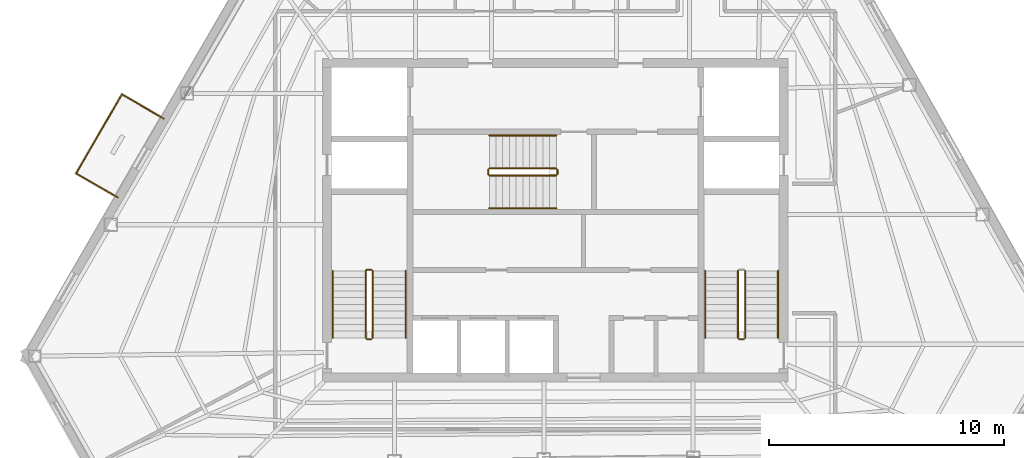
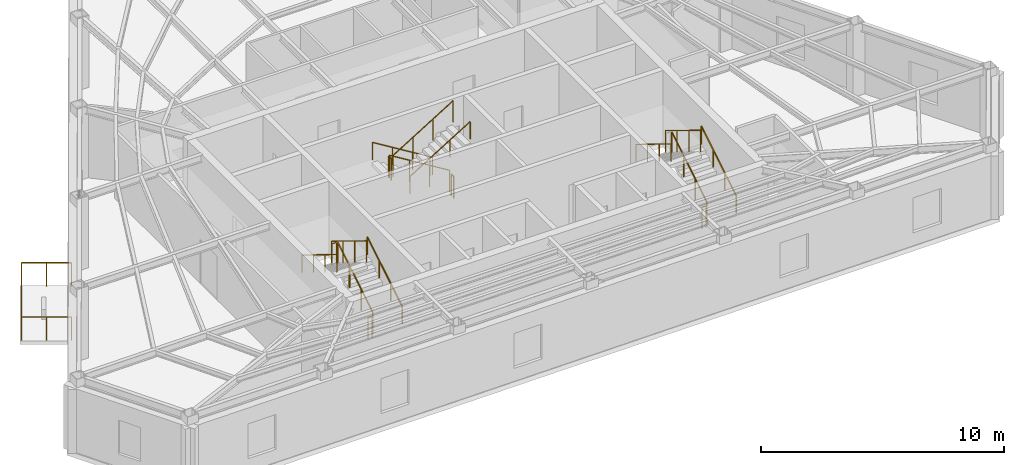
# One storey, part 9 of 10: 20 railings.
"""IFC4 building model written with IfcOpenShell, lengths in metres."""

import ifcopenshell
import ifcopenshell.guid

model = None  # the IFC model being written
_history = None  # IfcOwnerHistory: only IFC2X3 demands one
_inside = {}  # id of a spatial element -> (the spatial element, [elements in it])
_under = {}  # id of a project, library or spatial element -> (it, [spatial elements below it])
_declared = {}  # id of a project -> (the project, [libraries it declares])
_typed = {}  # id of a type object -> (the type object, [elements of that type])
_made_of = {}  # id of a material, layer set ... -> (it, [elements and type objects made of it])


def new_model(schema):
    """Start an empty IFC model of exactly this schema.

    Asked for "IFC4X3", IfcOpenShell would pick the latest addendum, in which some entities
    have other attributes; the version numbers below select the first issue.
    IFC2X3 requires an IfcOwnerHistory on every rooted entity: one is made here for all.
    """
    global model, _history
    if schema == "IFC4X3":
        model = ifcopenshell.file(schema_version=(4, 3, 0, 0))
    else:
        model = ifcopenshell.file(schema=schema)
    _inside.clear()
    _under.clear()
    _declared.clear()
    _typed.clear()
    _made_of.clear()
    _history = None
    if model.schema == "IFC2X3":
        org = make("IfcOrganization", Name="unknown")
        user = make(
            "IfcPersonAndOrganization",
            ThePerson=make("IfcPerson", FamilyName="unknown"),
            TheOrganization=org,
        )
        app = make(
            "IfcApplication",
            ApplicationDeveloper=org,
            Version="unknown",
            ApplicationFullName="unknown",
            ApplicationIdentifier="unknown",
        )
        _history = make(
            "IfcOwnerHistory",
            OwningUser=user,
            OwningApplication=app,
            ChangeAction="ADDED",
            CreationDate=0,
        )
    return model


def make(cls, **values):
    """One entity of the class cls with the attributes given. An attribute that is None is left unset."""
    return model.create_entity(
        cls, **{name: value for name, value in values.items() if value is not None}
    )


def rooted(cls, **values):
    """An entity with a GlobalId (a new one), such as an element, a storey or a relation."""
    return make(cls, GlobalId=ifcopenshell.guid.new(), OwnerHistory=_history, **values)


def si_unit(unit_type, name, prefix=None):
    """IfcSIUnit, for example si_unit("LENGTHUNIT", "METRE", prefix="MILLI")."""
    return make("IfcSIUnit", UnitType=unit_type, Prefix=prefix, Name=name)


def assignment(units):
    """IfcUnitAssignment: the units of a project."""
    return None if units is None else make("IfcUnitAssignment", Units=units)


def point(xyz):
    """IfcCartesianPoint."""
    return None if xyz is None else make("IfcCartesianPoint", Coordinates=xyz)


def direction(xyz):
    """IfcDirection."""
    return None if xyz is None else make("IfcDirection", DirectionRatios=xyz)


def frame(location, z_axis=None, x_axis=None):
    """IfcAxis2Placement3D, a coordinate frame: its origin and axes. An axis left out is left unset."""
    return make(
        "IfcAxis2Placement3D",
        Location=point(location),
        Axis=direction(z_axis),
        RefDirection=direction(x_axis),
    )


def frame_2d(location, x_axis=None):
    """IfcAxis2Placement2D, a coordinate frame in the plane: its origin and x axis."""
    return make(
        "IfcAxis2Placement2D", Location=point(location), RefDirection=direction(x_axis)
    )


def origin():
    """The frame at (0, 0, 0) with its axes left unset."""
    return frame((0.0, 0.0, 0.0))


def origin_2d():
    """The frame at (0, 0) in the plane with its x axis left unset."""
    return frame_2d((0.0, 0.0))


def place(relative_to, where):
    """IfcLocalPlacement: puts the frame where relative to a parent placement (None: the world)."""
    return make(
        "IfcLocalPlacement", PlacementRelTo=relative_to, RelativePlacement=where
    )


def context(
    kind, dimensions, precision=None, world=None, true_north=None, identifier=None
):
    """IfcGeometricRepresentationContext, for example the 3D "Model" context."""
    return make(
        "IfcGeometricRepresentationContext",
        ContextIdentifier=identifier,
        ContextType=kind,
        CoordinateSpaceDimension=dimensions,
        Precision=precision,
        WorldCoordinateSystem=world,
        TrueNorth=true_north,
    )


def subcontext(parent, identifier, kind, view, scale=None):
    """IfcGeometricRepresentationSubContext, for example "Body" below "Model"."""
    return make(
        "IfcGeometricRepresentationSubContext",
        ContextIdentifier=identifier,
        ContextType=kind,
        ParentContext=parent,
        TargetScale=scale,
        TargetView=view,
    )


def project(units=None, contexts=None):
    """IfcProject with its units and contexts."""
    return rooted(
        "IfcProject",
        Name="project",
        RepresentationContexts=contexts,
        UnitsInContext=assignment(units),
    )


def spatial(cls, under=None, at=None, **own):
    """A site, building, storey or space (cls), placed at a placement, below another one or the project."""
    s = rooted(cls, ObjectPlacement=at, **own)
    if under is not None:
        _under.setdefault(under.id(), (under, []))[1].append(s)
    return s


def profile(cls, at=None, kind="AREA", **sizes):
    """A parametric profile (cls). Its sizes go by their IFC names, for example OverallWidth=200.0."""
    return make(cls, ProfileType=kind, Position=at, **sizes)


def circle(**sizes):
    """IfcCircleProfileDef."""
    return profile("IfcCircleProfileDef", **sizes)


def extrude(swept, where, along, depth):
    """IfcExtrudedAreaSolid: the profile swept, set in the frame where, extruded along a direction by depth."""
    return make(
        "IfcExtrudedAreaSolid",
        SweptArea=swept,
        Position=where,
        ExtrudedDirection=direction(along),
        Depth=depth,
    )


def shape(context_of_items, identifier, shape_type, items):
    """IfcShapeRepresentation: the items that make up one representation, for example the "Body"."""
    return make(
        "IfcShapeRepresentation",
        ContextOfItems=context_of_items,
        RepresentationIdentifier=identifier,
        RepresentationType=shape_type,
        Items=items,
    )


def material(Name=None, Category=None):
    """IfcMaterial."""
    return make("IfcMaterial", Name=Name, Category=Category)


def made_of(thing, what):
    """Note that an element or type object is made of a material, layer set ...; save() writes the relation."""
    if what is not None:
        _made_of.setdefault(what.id(), (what, []))[1].append(thing)
    return thing


def type_object(cls, material=None, **own):
    """A type object (cls), such as IfcWallType, which elements share."""
    return made_of(rooted(cls, **own), material)


def element(
    cls,
    number,
    at=None,
    inside=None,
    cuts=None,
    type_object=None,
    material=None,
    context=None,
    identifier="Body",
    shape_type=None,
    held_by="IfcProductDefinitionShape",
    body=None,
    shapes=None,
    **own,
):
    """One element of the class cls, such as IfcWall. Its Tag is "e" and its number.

    at: its placement. inside: the storey or other place that contains it. cuts: it is an
    opening in that element (IfcRelVoidsElement). A single representation is given by context,
    identifier, shape_type and body (its items); several are given by shapes. held_by: the class
    of the entity that holds the representations. save() writes the other relations.
    """
    e = rooted(cls, Tag="e%d" % number, ObjectPlacement=at, **own)
    if body is not None:
        shapes = [shape(context, identifier, shape_type, body)]
    if shapes is not None:
        e.Representation = make(held_by, Representations=shapes)
    if inside is not None:
        _inside.setdefault(inside.id(), (inside, []))[1].append(e)
    if cuts is not None:
        rooted(
            "IfcRelVoidsElement", RelatingBuildingElement=cuts, RelatedOpeningElement=e
        )
    if type_object is not None:
        _typed.setdefault(type_object.id(), (type_object, []))[1].append(e)
    return made_of(e, material)


def aggregate(whole, parts):
    """IfcRelAggregates: a whole, such as a stair, and the parts it consists of."""
    return rooted("IfcRelAggregates", RelatingObject=whole, RelatedObjects=parts)


def save(model, path):
    """Write the relations noted so far, then the file.

    IfcRelAggregates (storeys below a building ...), IfcRelContainedInSpatialStructure (elements
    in a storey), IfcRelDefinesByType, IfcRelAssociatesMaterial and IfcRelDeclares: one each for
    every whole, place, type object, material and project.
    """
    for whole, parts in _under.values():
        aggregate(whole, parts)
    for where, things in _inside.values():
        rooted(
            "IfcRelContainedInSpatialStructure",
            RelatedElements=things,
            RelatingStructure=where,
        )
    for kind, things in _typed.values():
        rooted("IfcRelDefinesByType", RelatedObjects=things, RelatingType=kind)
    for what, things in _made_of.values():
        rooted("IfcRelAssociatesMaterial", RelatedObjects=things, RelatingMaterial=what)
    for by, libraries in _declared.values():
        rooted("IfcRelDeclares", RelatingContext=by, RelatedDefinitions=libraries)
    model.write(path)


model = new_model("IFC4")

# Units and contexts
model_context = context("Model", 3, precision=1e-05, world=origin(), true_north=direction((0.0, 1.0)))
body_context = subcontext(model_context, "Body", "Model", "MODEL_VIEW")
ifc_project = project(units=[si_unit("LENGTHUNIT", "METRE"), si_unit("AREAUNIT", "SQUARE_METRE"), si_unit("VOLUMEUNIT", "CUBIC_METRE"), si_unit("PLANEANGLEUNIT", "RADIAN"), si_unit("MASSUNIT", "GRAM", prefix="KILO")], contexts=[model_context])

# Site, building, storey
site_placement = place(None, origin())
site = spatial("IfcSite", under=ifc_project, at=site_placement, CompositionType="ELEMENT")
building_placement = place(site_placement, origin())
building = spatial("IfcBuilding", under=site, at=building_placement, Name="Kavelnor Concourse Tower", CompositionType="ELEMENT")
storey_placement = place(building_placement, frame((0.0, 0.0, 293.39990234375)))
storey = spatial("IfcBuildingStorey", under=building, at=storey_placement, Name="L74", CompositionType="ELEMENT", Elevation=293.39990234375)

# Railings
ifc_material_1 = material(Name="Steel Grade 350", Category="steel")
railing_type_1 = type_object("IfcRailingType", Name="RLG-GUARD-1100", PredefinedType="GUARDRAIL", material=ifc_material_1)
railing_1_placement = place(storey_placement, frame((30.22998046875, 11.10009765625, 0.175048828125)))
element("IfcRailing", 1, at=railing_1_placement, inside=storey, type_object=railing_type_1, Name="L74 ST1 stair guard 1", PredefinedType="GUARDRAIL", context=body_context, shape_type="SweptSolid", body=[
    extrude(circle(Radius=0.02392578125, at=origin_2d()), frame((0.0, 0.0, 1.076171875), z_axis=(0.0, 0.852159232446, 0.523282564737), x_axis=(-1.0, 0.0, 0.0)), (0.0, 0.0, 1.0), 3.34423828125),
    extrude(circle(Radius=0.02099609375, at=origin_2d()), origin(), (0.0, 0.0, 1.0), 1.052001953125),
    extrude(circle(Radius=0.02099609375, at=origin_2d()), frame((0.0, 0.949951171875, 0.583251953125)), (0.0, 0.0, 1.0), 1.052001953125),
    extrude(circle(Radius=0.02099609375, at=origin_2d()), frame((0.0, 1.89990234375, 1.166748046875)), (0.0, 0.0, 1.0), 1.052001953125),
    extrude(circle(Radius=0.02099609375, at=origin_2d()), frame((0.0, 2.849853515625, 1.75)), (0.0, 0.0, 1.0), 1.052001953125),
])
railing_2_placement = place(storey_placement, frame((30.179931640625, 14.0, 1.925048828125)))
element("IfcRailing", 2, at=railing_2_placement, inside=storey, type_object=railing_type_1, Name="L74 ST1 stair guard 2", PredefinedType="GUARDRAIL", context=body_context, shape_type="SweptSolid", body=[
    extrude(circle(Radius=0.02392578125, at=origin_2d()), frame((0.0, 0.0, 1.076171875), z_axis=(-1.0, 0.0, 0.0), x_axis=(0.0, -1.0, 0.0)), (0.0, 0.0, 1.0), 0.199951171875),
    extrude(circle(Radius=0.02099609375, at=origin_2d()), origin(), (0.0, 0.0, 1.0), 1.052001953125),
    extrude(circle(Radius=0.02099609375, at=origin_2d()), frame((-0.199951171875, 0.0, 0.0)), (0.0, 0.0, 1.0), 1.052001953125),
])
railing_3_placement = place(storey_placement, frame((29.929931640625, 13.949951171875, 2.10009765625)))
element("IfcRailing", 3, at=railing_3_placement, inside=storey, type_object=railing_type_1, Name="L74 ST1 stair guard 3", PredefinedType="GUARDRAIL", context=body_context, shape_type="SweptSolid", body=[
    extrude(circle(Radius=0.02392578125, at=origin_2d()), frame((0.0, 0.0, 1.076171875), z_axis=(0.0, -0.852159232446, 0.523282564737), x_axis=(1.0, 0.0, 0.0)), (0.0, 0.0, 1.0), 3.34423828125),
    extrude(circle(Radius=0.02099609375, at=origin_2d()), origin(), (0.0, 0.0, 1.0), 1.052001953125),
    extrude(circle(Radius=0.02099609375, at=origin_2d()), frame((0.0, -0.949951171875, 0.583251953125)), (0.0, 0.0, 1.0), 1.052001953125),
    extrude(circle(Radius=0.02099609375, at=origin_2d()), frame((0.0, -1.89990234375, 1.166748046875)), (0.0, 0.0, 1.0), 1.052001953125),
    extrude(circle(Radius=0.02099609375, at=origin_2d()), frame((0.0, -2.849853515625, 1.75)), (0.0, 0.0, 1.0), 1.052001953125),
])
railing_4_placement = place(storey_placement, frame((30.179931640625, 11.050048828125, 0.0)))
element("IfcRailing", 4, at=railing_4_placement, inside=storey, type_object=railing_type_1, Name="L74 ST1 stair guard 4", PredefinedType="GUARDRAIL", context=body_context, shape_type="SweptSolid", body=[
    extrude(circle(Radius=0.02392578125, at=origin_2d()), frame((0.0, 0.0, 1.076171875), z_axis=(-1.0, 0.0, 0.0), x_axis=(0.0, -1.0, 0.0)), (0.0, 0.0, 1.0), 0.199951171875),
    extrude(circle(Radius=0.02099609375, at=origin_2d()), origin(), (0.0, 0.0, 1.0), 1.052001953125),
    extrude(circle(Radius=0.02099609375, at=origin_2d()), frame((-0.199951171875, 0.0, 0.0)), (0.0, 0.0, 1.0), 1.052001953125),
])
railing_5_placement = place(storey_placement, frame((46.070068359375, 11.10009765625, 0.175048828125)))
element("IfcRailing", 5, at=railing_5_placement, inside=storey, type_object=railing_type_1, Name="L74 ST2 stair guard 1", PredefinedType="GUARDRAIL", context=body_context, shape_type="SweptSolid", body=[
    extrude(circle(Radius=0.02392578125, at=origin_2d()), frame((0.0, 0.0, 1.076171875), z_axis=(0.0, 0.852159232446, 0.523282564737), x_axis=(-1.0, 0.0, 0.0)), (0.0, 0.0, 1.0), 3.34423828125),
    extrude(circle(Radius=0.02099609375, at=origin_2d()), origin(), (0.0, 0.0, 1.0), 1.052001953125),
    extrude(circle(Radius=0.02099609375, at=origin_2d()), frame((0.0, 0.949951171875, 0.583251953125)), (0.0, 0.0, 1.0), 1.052001953125),
    extrude(circle(Radius=0.02099609375, at=origin_2d()), frame((0.0, 1.89990234375, 1.166748046875)), (0.0, 0.0, 1.0), 1.052001953125),
    extrude(circle(Radius=0.02099609375, at=origin_2d()), frame((0.0, 2.849853515625, 1.75)), (0.0, 0.0, 1.0), 1.052001953125),
])
railing_6_placement = place(storey_placement, frame((45.77001953125, 13.949951171875, 2.10009765625)))
element("IfcRailing", 6, at=railing_6_placement, inside=storey, type_object=railing_type_1, Name="L74 ST2 stair guard 3", PredefinedType="GUARDRAIL", context=body_context, shape_type="SweptSolid", body=[
    extrude(circle(Radius=0.02392578125, at=origin_2d()), frame((0.0, 0.0, 1.076171875), z_axis=(0.0, -0.852159232446, 0.523282564737), x_axis=(1.0, 0.0, 0.0)), (0.0, 0.0, 1.0), 3.34423828125),
    extrude(circle(Radius=0.02099609375, at=origin_2d()), origin(), (0.0, 0.0, 1.0), 1.052001953125),
    extrude(circle(Radius=0.02099609375, at=origin_2d()), frame((0.0, -0.949951171875, 0.583251953125)), (0.0, 0.0, 1.0), 1.052001953125),
    extrude(circle(Radius=0.02099609375, at=origin_2d()), frame((0.0, -1.89990234375, 1.166748046875)), (0.0, 0.0, 1.0), 1.052001953125),
    extrude(circle(Radius=0.02099609375, at=origin_2d()), frame((0.0, -2.849853515625, 1.75)), (0.0, 0.0, 1.0), 1.052001953125),
])
railing_7_placement = place(storey_placement, frame((46.02001953125, 11.050048828125, 0.0)))
element("IfcRailing", 7, at=railing_7_placement, inside=storey, type_object=railing_type_1, Name="L74 ST2 stair guard 4", PredefinedType="GUARDRAIL", context=body_context, shape_type="SweptSolid", body=[
    extrude(circle(Radius=0.02392578125, at=origin_2d()), frame((0.0, 0.0, 1.076171875), z_axis=(-1.0, 0.0, 0.0), x_axis=(0.0, -1.0, 0.0)), (0.0, 0.0, 1.0), 0.199951171875),
    extrude(circle(Radius=0.02099609375, at=origin_2d()), origin(), (0.0, 0.0, 1.0), 1.052001953125),
    extrude(circle(Radius=0.02099609375, at=origin_2d()), frame((-0.199951171875, 0.0, 0.0)), (0.0, 0.0, 1.0), 1.052001953125),
])
railing_8_placement = place(storey_placement, frame((38.0400390625, 18.31005859375, 0.175048828125)))
element("IfcRailing", 8, at=railing_8_placement, inside=storey, type_object=railing_type_1, Name="L74 ST3 stair guard 1", PredefinedType="GUARDRAIL", context=body_context, shape_type="SweptSolid", body=[
    extrude(circle(Radius=0.02392578125, at=origin_2d()), frame((0.0, 0.0, 1.076171875), z_axis=(-0.852179220489, 0.0, 0.52325001306), x_axis=(0.0, -1.0, 0.0)), (0.0, 0.0, 1.0), 3.344482421875),
    extrude(circle(Radius=0.02099609375, at=origin_2d()), origin(), (0.0, 0.0, 1.0), 1.052001953125),
    extrude(circle(Radius=0.02099609375, at=origin_2d()), frame((-0.949951171875, 0.0, 0.583251953125)), (0.0, 0.0, 1.0), 1.052001953125),
    extrude(circle(Radius=0.02099609375, at=origin_2d()), frame((-1.900146484375, 0.0, 1.166748046875)), (0.0, 0.0, 1.0), 1.052001953125),
    extrude(circle(Radius=0.02099609375, at=origin_2d()), frame((-2.85009765625, 0.0, 1.75)), (0.0, 0.0, 1.0), 1.052001953125),
])
railing_9_placement = place(storey_placement, frame((35.139892578125, 18.260009765625, 1.925048828125)))
element("IfcRailing", 9, at=railing_9_placement, inside=storey, type_object=railing_type_1, Name="L74 ST3 stair guard 2", PredefinedType="GUARDRAIL", context=body_context, shape_type="SweptSolid", body=[
    extrude(circle(Radius=0.02392578125, at=origin_2d()), frame((0.0, 0.0, 1.076171875), z_axis=(0.0, -1.0, 0.0), x_axis=(1.0, 0.0, 0.0)), (0.0, 0.0, 1.0), 0.199951171875),
    extrude(circle(Radius=0.02099609375, at=origin_2d()), origin(), (0.0, 0.0, 1.0), 1.052001953125),
    extrude(circle(Radius=0.02099609375, at=origin_2d()), frame((0.0, -0.199951171875, 0.0)), (0.0, 0.0, 1.0), 1.052001953125),
])
railing_10_placement = place(storey_placement, frame((35.18994140625, 18.010009765625, 2.10009765625)))
element("IfcRailing", 10, at=railing_10_placement, inside=storey, type_object=railing_type_1, Name="L74 ST3 stair guard 3", PredefinedType="GUARDRAIL", context=body_context, shape_type="SweptSolid", body=[
    extrude(circle(Radius=0.02392578125, at=origin_2d()), frame((0.0, 0.0, 1.076171875), z_axis=(0.852179220489, 0.0, 0.52325001306), x_axis=(0.0, 1.0, 0.0)), (0.0, 0.0, 1.0), 3.344482421875),
    extrude(circle(Radius=0.02099609375, at=origin_2d()), origin(), (0.0, 0.0, 1.0), 1.052001953125),
    extrude(circle(Radius=0.02099609375, at=origin_2d()), frame((0.949951171875, 0.0, 0.583251953125)), (0.0, 0.0, 1.0), 1.052001953125),
    extrude(circle(Radius=0.02099609375, at=origin_2d()), frame((1.900146484375, 0.0, 1.166748046875)), (0.0, 0.0, 1.0), 1.052001953125),
    extrude(circle(Radius=0.02099609375, at=origin_2d()), frame((2.85009765625, 0.0, 1.75)), (0.0, 0.0, 1.0), 1.052001953125),
])
railing_11_placement = place(storey_placement, frame((38.090087890625, 18.260009765625, 0.0)))
element("IfcRailing", 11, at=railing_11_placement, inside=storey, type_object=railing_type_1, Name="L74 ST3 stair guard 4", PredefinedType="GUARDRAIL", context=body_context, shape_type="SweptSolid", body=[
    extrude(circle(Radius=0.02392578125, at=origin_2d()), frame((0.0, 0.0, 1.076171875), z_axis=(0.0, -1.0, 0.0), x_axis=(1.0, 0.0, 0.0)), (0.0, 0.0, 1.0), 0.199951171875),
    extrude(circle(Radius=0.02099609375, at=origin_2d()), origin(), (0.0, 0.0, 1.0), 1.052001953125),
    extrude(circle(Radius=0.02099609375, at=origin_2d()), frame((0.0, -0.199951171875, 0.0)), (0.0, 0.0, 1.0), 1.052001953125),
])
railing_type_2 = type_object("IfcRailingType", Name="RLG-HANDRAIL-900", PredefinedType="HANDRAIL", material=ifc_material_1)
railing_12_placement = place(storey_placement, frame((31.6298828125, 11.10009765625, 0.175048828125)))
element("IfcRailing", 12, at=railing_12_placement, inside=storey, type_object=railing_type_2, Name="L74 ST1 stair handrail 1", PredefinedType="HANDRAIL", context=body_context, shape_type="SweptSolid", body=[
    extrude(circle(Radius=0.02392578125, at=origin_2d()), frame((0.0, 0.0, 0.8759765625), z_axis=(0.0, 0.852159232446, 0.523282564737), x_axis=(-1.0, 0.0, 0.0)), (0.0, 0.0, 1.0), 3.34423828125),
    extrude(circle(Radius=0.02099609375, at=origin_2d()), origin(), (0.0, 0.0, 1.0), 0.851806640625),
    extrude(circle(Radius=0.02099609375, at=origin_2d()), frame((0.0, 0.949951171875, 0.583251953125)), (0.0, 0.0, 1.0), 0.851806640625),
    extrude(circle(Radius=0.02099609375, at=origin_2d()), frame((0.0, 1.89990234375, 1.166748046875)), (0.0, 0.0, 1.0), 0.851806640625),
    extrude(circle(Radius=0.02099609375, at=origin_2d()), frame((0.0, 2.849853515625, 1.75)), (0.0, 0.0, 1.0), 0.851806640625),
])
railing_13_placement = place(storey_placement, frame((28.530029296875, 13.949951171875, 2.10009765625)))
element("IfcRailing", 13, at=railing_13_placement, inside=storey, type_object=railing_type_2, Name="L74 ST1 stair handrail 2", PredefinedType="HANDRAIL", context=body_context, shape_type="SweptSolid", body=[
    extrude(circle(Radius=0.02392578125, at=origin_2d()), frame((0.0, 0.0, 0.8759765625), z_axis=(0.0, -0.852159232446, 0.523282564737), x_axis=(1.0, 0.0, 0.0)), (0.0, 0.0, 1.0), 3.34423828125),
    extrude(circle(Radius=0.02099609375, at=origin_2d()), origin(), (0.0, 0.0, 1.0), 0.851806640625),
    extrude(circle(Radius=0.02099609375, at=origin_2d()), frame((0.0, -0.949951171875, 0.583251953125)), (0.0, 0.0, 1.0), 0.851806640625),
    extrude(circle(Radius=0.02099609375, at=origin_2d()), frame((0.0, -1.89990234375, 1.166748046875)), (0.0, 0.0, 1.0), 0.851806640625),
    extrude(circle(Radius=0.02099609375, at=origin_2d()), frame((0.0, -2.849853515625, 1.75)), (0.0, 0.0, 1.0), 0.851806640625),
])
railing_14_placement = place(storey_placement, frame((47.469970703125, 11.10009765625, 0.175048828125)))
element("IfcRailing", 14, at=railing_14_placement, inside=storey, type_object=railing_type_2, Name="L74 ST2 stair handrail 1", PredefinedType="HANDRAIL", context=body_context, shape_type="SweptSolid", body=[
    extrude(circle(Radius=0.02392578125, at=origin_2d()), frame((0.0, 0.0, 0.8759765625), z_axis=(0.0, 0.852159232446, 0.523282564737), x_axis=(-1.0, 0.0, 0.0)), (0.0, 0.0, 1.0), 3.34423828125),
    extrude(circle(Radius=0.02099609375, at=origin_2d()), origin(), (0.0, 0.0, 1.0), 0.851806640625),
    extrude(circle(Radius=0.02099609375, at=origin_2d()), frame((0.0, 0.949951171875, 0.583251953125)), (0.0, 0.0, 1.0), 0.851806640625),
    extrude(circle(Radius=0.02099609375, at=origin_2d()), frame((0.0, 1.89990234375, 1.166748046875)), (0.0, 0.0, 1.0), 0.851806640625),
    extrude(circle(Radius=0.02099609375, at=origin_2d()), frame((0.0, 2.849853515625, 1.75)), (0.0, 0.0, 1.0), 0.851806640625),
])
railing_15_placement = place(storey_placement, frame((44.3701171875, 13.949951171875, 2.10009765625)))
element("IfcRailing", 15, at=railing_15_placement, inside=storey, type_object=railing_type_2, Name="L74 ST2 stair handrail 2", PredefinedType="HANDRAIL", context=body_context, shape_type="SweptSolid", body=[
    extrude(circle(Radius=0.02392578125, at=origin_2d()), frame((0.0, 0.0, 0.8759765625), z_axis=(0.0, -0.852159232446, 0.523282564737), x_axis=(1.0, 0.0, 0.0)), (0.0, 0.0, 1.0), 3.34423828125),
    extrude(circle(Radius=0.02099609375, at=origin_2d()), origin(), (0.0, 0.0, 1.0), 0.851806640625),
    extrude(circle(Radius=0.02099609375, at=origin_2d()), frame((0.0, -0.949951171875, 0.583251953125)), (0.0, 0.0, 1.0), 0.851806640625),
    extrude(circle(Radius=0.02099609375, at=origin_2d()), frame((0.0, -1.89990234375, 1.166748046875)), (0.0, 0.0, 1.0), 0.851806640625),
    extrude(circle(Radius=0.02099609375, at=origin_2d()), frame((0.0, -2.849853515625, 1.75)), (0.0, 0.0, 1.0), 0.851806640625),
])
railing_16_placement = place(storey_placement, frame((38.0400390625, 19.7099609375, 0.175048828125)))
element("IfcRailing", 16, at=railing_16_placement, inside=storey, type_object=railing_type_2, Name="L74 ST3 stair handrail 1", PredefinedType="HANDRAIL", context=body_context, shape_type="SweptSolid", body=[
    extrude(circle(Radius=0.02392578125, at=origin_2d()), frame((0.0, 0.0, 0.8759765625), z_axis=(-0.852179220489, 0.0, 0.52325001306), x_axis=(0.0, -1.0, 0.0)), (0.0, 0.0, 1.0), 3.344482421875),
    extrude(circle(Radius=0.02099609375, at=origin_2d()), origin(), (0.0, 0.0, 1.0), 0.851806640625),
    extrude(circle(Radius=0.02099609375, at=origin_2d()), frame((-0.949951171875, 0.0, 0.583251953125)), (0.0, 0.0, 1.0), 0.851806640625),
    extrude(circle(Radius=0.02099609375, at=origin_2d()), frame((-1.900146484375, 0.0, 1.166748046875)), (0.0, 0.0, 1.0), 0.851806640625),
    extrude(circle(Radius=0.02099609375, at=origin_2d()), frame((-2.85009765625, 0.0, 1.75)), (0.0, 0.0, 1.0), 0.851806640625),
])
railing_17_placement = place(storey_placement, frame((35.18994140625, 16.610107421875, 2.10009765625)))
element("IfcRailing", 17, at=railing_17_placement, inside=storey, type_object=railing_type_2, Name="L74 ST3 stair handrail 2", PredefinedType="HANDRAIL", context=body_context, shape_type="SweptSolid", body=[
    extrude(circle(Radius=0.02392578125, at=origin_2d()), frame((0.0, 0.0, 0.8759765625), z_axis=(0.852179220489, 0.0, 0.52325001306), x_axis=(0.0, 1.0, 0.0)), (0.0, 0.0, 1.0), 3.344482421875),
    extrude(circle(Radius=0.02099609375, at=origin_2d()), origin(), (0.0, 0.0, 1.0), 0.851806640625),
    extrude(circle(Radius=0.02099609375, at=origin_2d()), frame((0.949951171875, 0.0, 0.583251953125)), (0.0, 0.0, 1.0), 0.851806640625),
    extrude(circle(Radius=0.02099609375, at=origin_2d()), frame((1.900146484375, 0.0, 1.166748046875)), (0.0, 0.0, 1.0), 0.851806640625),
    extrude(circle(Radius=0.02099609375, at=origin_2d()), frame((2.85009765625, 0.0, 1.75)), (0.0, 0.0, 1.0), 0.851806640625),
])
ifc_material_2 = material(Name="Architectural bronze-anodised aluminium", Category="aluminium")
railing_type_3 = type_object("IfcRailingType", Name="RLG-TERRACE-1200", PredefinedType="BALUSTRADE", material=ifc_material_2)
railing_18_placement = place(storey_placement, frame((21.337890625, 20.4306640625, 0.0)))
element("IfcRailing", 18, at=railing_18_placement, inside=storey, type_object=railing_type_3, Name="L74 Tree Balcony 2 Guardrail L", PredefinedType="BALUSTRADE", context=body_context, shape_type="SweptSolid", body=[
    extrude(circle(Radius=0.02392578125, at=origin_2d()), frame((0.0, 0.0, 1.17578125), z_axis=(-0.865222369342, 0.501388324147, 0.0), x_axis=(-0.501388324147, -0.865222369342, 0.0)), (0.0, 0.0, 1.0), 2.050048828125),
    extrude(circle(Radius=0.02099609375, at=origin_2d()), origin(), (0.0, 0.0, 1.0), 1.15185546875),
    extrude(circle(Radius=0.02099609375, at=origin_2d()), frame((-0.88671875, 0.513916015625, 0.0)), (0.0, 0.0, 1.0), 1.15185546875),
    extrude(circle(Radius=0.02099609375, at=origin_2d()), frame((-1.773681640625, 1.02783203125, 0.0)), (0.0, 0.0, 1.0), 1.15185546875),
])
railing_19_placement = place(storey_placement, frame((19.564208984375, 21.45849609375, 0.0)))
element("IfcRailing", 19, at=railing_19_placement, inside=storey, type_object=railing_type_3, Name="L74 Tree Balcony 2 Guardrail F", PredefinedType="BALUSTRADE", context=body_context, shape_type="SweptSolid", body=[
    extrude(circle(Radius=0.02392578125, at=origin_2d()), frame((0.0, 0.0, 1.17578125), z_axis=(-0.501361157303, -0.865238111706, 0.0), x_axis=(0.865238111706, -0.501361157303, 0.0)), (0.0, 0.0, 1.0), 3.880126953125),
    extrude(circle(Radius=0.02099609375, at=origin_2d()), origin(), (0.0, 0.0, 1.0), 1.15185546875),
    extrude(circle(Radius=0.02099609375, at=origin_2d()), frame((-0.486328125, -0.83935546875, 0.0)), (0.0, 0.0, 1.0), 1.15185546875),
    extrude(circle(Radius=0.02099609375, at=origin_2d()), frame((-0.97265625, -1.6787109375, 0.0)), (0.0, 0.0, 1.0), 1.15185546875),
    extrude(circle(Radius=0.02099609375, at=origin_2d()), frame((-1.458984375, -2.517822265625, 0.0)), (0.0, 0.0, 1.0), 1.15185546875),
    extrude(circle(Radius=0.02099609375, at=origin_2d()), frame((-1.9453125, -3.357177734375, 0.0)), (0.0, 0.0, 1.0), 1.15185546875),
])
railing_20_placement = place(storey_placement, frame((17.618896484375, 18.101318359375, 0.0)))
element("IfcRailing", 20, at=railing_20_placement, inside=storey, type_object=railing_type_3, Name="L74 Tree Balcony 2 Guardrail R", PredefinedType="BALUSTRADE", context=body_context, shape_type="SweptSolid", body=[
    extrude(circle(Radius=0.02392578125, at=origin_2d()), frame((0.0, 0.0, 1.17578125), z_axis=(0.865222369342, -0.501388324147, 0.0), x_axis=(0.501388324147, 0.865222369342, 0.0)), (0.0, 0.0, 1.0), 2.050048828125),
    extrude(circle(Radius=0.02099609375, at=origin_2d()), origin(), (0.0, 0.0, 1.0), 1.15185546875),
    extrude(circle(Radius=0.02099609375, at=origin_2d()), frame((0.88671875, -0.513916015625, 0.0)), (0.0, 0.0, 1.0), 1.15185546875),
    extrude(circle(Radius=0.02099609375, at=origin_2d()), frame((1.773681640625, -1.02783203125, 0.0)), (0.0, 0.0, 1.0), 1.15185546875),
])

save(model, "model.ifc")
